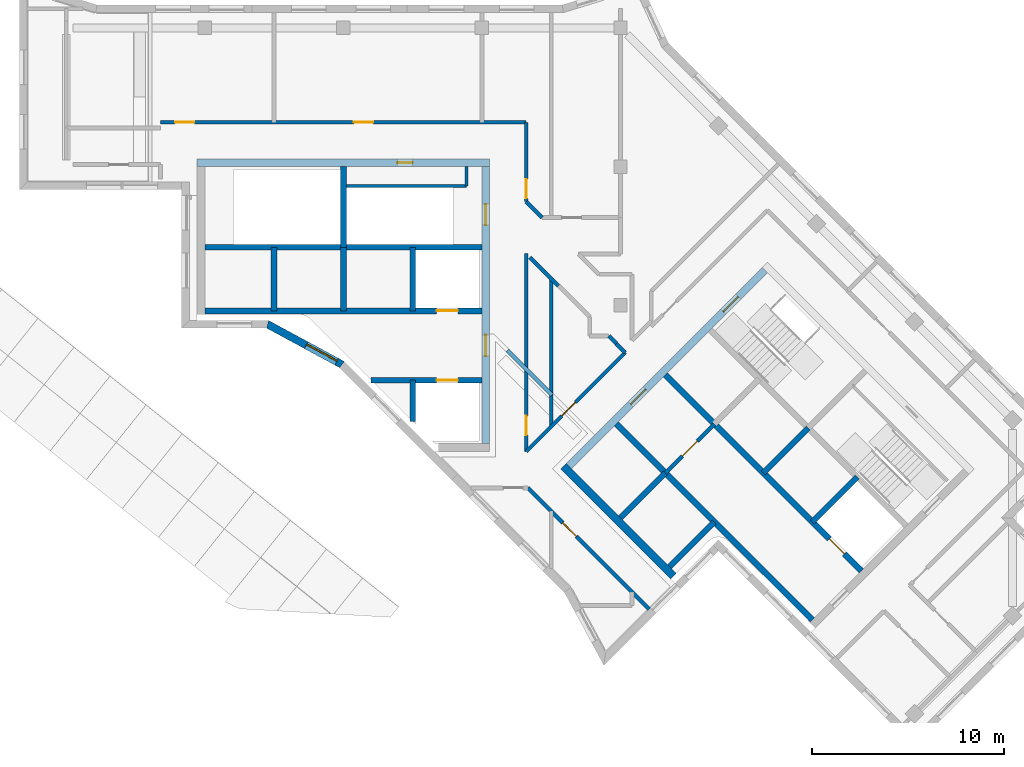
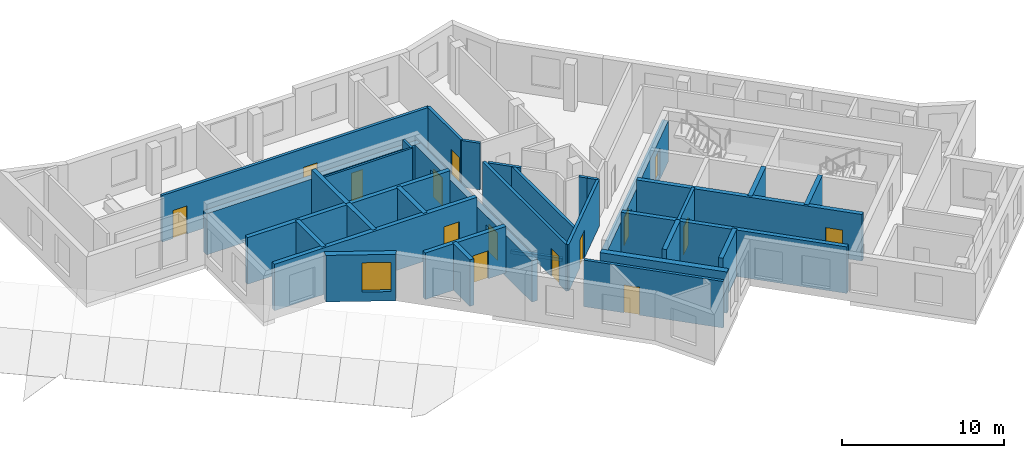
# One storey, part 3 of 8: 34 walls, 15 doors, 1 window, 16 openings.
"""IFC4 building model written with IfcOpenShell, lengths in metres."""

from ifc_helpers import new_model, si_unit, direction, frame, frame_2d, origin, place, context, subcontext, project, spatial, polyline, rectangle, outline, extrude, material, layer, layer_set, type_object, element, fill, save


model = new_model("IFC4")

# Units and contexts
model_context = context("Model", 3, precision=1e-05, world=origin(), true_north=direction((0.0, 1.0)))
body_context = subcontext(model_context, "Body", "Model", "MODEL_VIEW")
ifc_project = project(units=[si_unit("LENGTHUNIT", "METRE"), si_unit("AREAUNIT", "SQUARE_METRE"), si_unit("VOLUMEUNIT", "CUBIC_METRE"), si_unit("PLANEANGLEUNIT", "RADIAN"), si_unit("MASSUNIT", "GRAM", prefix="KILO")], contexts=[model_context])

# Site, building, storey
site_placement = place(None, origin())
site = spatial("IfcSite", under=ifc_project, at=site_placement, CompositionType="ELEMENT")
building_placement = place(site_placement, origin())
building = spatial("IfcBuilding", under=site, at=building_placement, Name="Windrow Commons", CompositionType="ELEMENT")
storey_placement = place(building_placement, frame((0.0, 0.0, 298.2)))
storey = spatial("IfcBuildingStorey", under=building, at=storey_placement, Name="L81", CompositionType="ELEMENT", Elevation=298.2)

# Wall, opening, door
ifc_material_1 = material(Name="Blockwork partition", Category="masonry")
ifc_layer_1 = layer(ifc_material_1, 0.2)
ifc_layer_set_1 = layer_set([ifc_layer_1], Name="Fire lobby partition 200")
wall_type_1 = type_object("IfcWallType", Name="Fire lobby partition 200", PredefinedType="PARTITIONING", material=ifc_layer_set_1)
wall_1_placement = place(storey_placement, frame((81.5335, 48.8776, 0.0), z_axis=(0.0, 0.0, 1.0), x_axis=(0.707092892, 0.7071206701, 0.0)))
wall_1 = element("IfcWall", 1, at=wall_1_placement, inside=storey, type_object=wall_type_1, Name="W-core-lobby-B-L81", PredefinedType="PARTITIONING", context=body_context, shape_type="SweptSolid", body=[
    extrude(outline(polyline([(0.0, 0.0), (3.6, 0.0), (3.6, 3.5), (0.0, 3.5), (0.0, 0.0)])), frame((0.0, 0.1, 0.0), z_axis=(0.0, -1.0, 0.0), x_axis=(1.0, 0.0, 0.0)), (0.0, 0.0, 1.0), 0.2),
])
opening_1_placement = place(wall_1_placement, frame((1.25, 0.0, 0.0)))
opening_1 = element("IfcOpeningElement", 2, at=opening_1_placement, cuts=wall_1, Name="Opening D6", PredefinedType="OPENING", context=body_context, shape_type="SweptSolid", body=[
    extrude(rectangle(XDim=1.1, YDim=2.1, at=frame_2d((0.55, 1.05))), frame((0.0, 0.11, 0.0), z_axis=(0.0, -1.0, 0.0), x_axis=(1.0, 0.0, 0.0)), (0.0, 0.0, 1.0), 0.22),
])
ifc_material_2 = material(Name="Steel fire door leaf", Category="steel")
door_type_1 = type_object("IfcDoorType", Name="Core lobby door 1100", OperationType="SINGLE_SWING_LEFT", PredefinedType="DOOR", material=ifc_material_2)
door_1_placement = place(opening_1_placement, origin())
door_1 = element("IfcDoor", 3, at=door_1_placement, inside=storey, type_object=door_type_1, Name="Lift lobby door", OperationType="DOUBLE_DOOR_SINGLE_SWING", OverallHeight=2.1, OverallWidth=1.1, PredefinedType="DOOR", context=body_context, shape_type="SweptSolid", body=[
    extrude(rectangle(XDim=1.1, YDim=2.1, at=frame_2d((0.55, 1.05))), frame((0.0, 0.025, 0.0), z_axis=(0.0, -1.0, 0.0), x_axis=(1.0, 0.0, 0.0)), (0.0, 0.0, 1.0), 0.05),
])
fill(opening_1, door_1)

# Wall, openings, doors
ifc_material_3 = material(Name="Blockwork partition", Category="masonry")
ifc_layer_2 = layer(ifc_material_3, 0.2)
ifc_layer_set_2 = layer_set([ifc_layer_2], Name="IW-CORRIDOR-200")
wall_type_2 = type_object("IfcWallType", Name="IW-CORRIDOR-200", PredefinedType="PARTITIONING", material=ifc_layer_set_2)
wall_2_placement = place(storey_placement, frame((55.302, 67.1, 0.0), z_axis=(0.0, 0.0, 1.0), x_axis=(1.0, 0.0, 0.0)))
wall_2 = element("IfcWall", 4, at=wall_2_placement, inside=storey, type_object=wall_type_2, Name="W-L81-W001", PredefinedType="PARTITIONING", context=body_context, shape_type="SweptSolid", body=[
    extrude(rectangle(XDim=18.998, YDim=0.2, at=frame_2d((9.499, 0.0))), origin(), (0.0, 0.0, 1.0), 3.5),
])
opening_2_placement = place(wall_2_placement, frame((0.7579, 0.0, 0.0)))
opening_2 = element("IfcOpeningElement", 5, at=opening_2_placement, cuts=wall_2, Name="Opening D410F", PredefinedType="OPENING", context=body_context, shape_type="SweptSolid", body=[
    extrude(rectangle(XDim=1.0, YDim=2.1, at=frame_2d((0.5, 1.05))), frame((0.0, 0.11, 0.0), z_axis=(0.0, -1.0, 0.0), x_axis=(1.0, 0.0, 0.0)), (0.0, 0.0, 1.0), 0.22),
])
opening_3_placement = place(wall_2_placement, frame((10.0397, 0.0, 0.0)))
opening_3 = element("IfcOpeningElement", 6, at=opening_3_placement, cuts=wall_2, Name="Opening D410F", PredefinedType="OPENING", context=body_context, shape_type="SweptSolid", body=[
    extrude(rectangle(XDim=1.0, YDim=2.1, at=frame_2d((0.5, 1.05))), frame((0.0, 0.11, 0.0), z_axis=(0.0, -1.0, 0.0), x_axis=(1.0, 0.0, 0.0)), (0.0, 0.0, 1.0), 0.22),
])
ifc_material_4 = material(Name="Timber door leaf", Category="wood")
door_type_2 = type_object("IfcDoorType", Name="DT-SERVICE-1000", OperationType="SINGLE_SWING_LEFT", PredefinedType="DOOR", material=ifc_material_4)
door_2_placement = place(opening_2_placement, origin())
door_2 = element("IfcDoor", 7, at=door_2_placement, inside=storey, type_object=door_type_2, Name="D-L81-D005", OperationType="SINGLE_SWING_RIGHT", OverallHeight=2.1, OverallWidth=1.0, PredefinedType="DOOR", context=body_context, shape_type="SweptSolid", body=[
    extrude(rectangle(XDim=1.0, YDim=2.1, at=frame_2d((0.5, 1.05))), frame((0.0, 0.025, 0.0), z_axis=(0.0, -1.0, 0.0), x_axis=(1.0, 0.0, 0.0)), (0.0, 0.0, 1.0), 0.05),
])
fill(opening_2, door_2)
door_3_placement = place(opening_3_placement, origin())
door_3 = element("IfcDoor", 8, at=door_3_placement, inside=storey, type_object=door_type_2, Name="D-L81-D006", OperationType="SINGLE_SWING_LEFT", OverallHeight=2.1, OverallWidth=1.0, PredefinedType="DOOR", context=body_context, shape_type="SweptSolid", body=[
    extrude(rectangle(XDim=1.0, YDim=2.1, at=frame_2d((0.5, 1.05))), frame((0.0, 0.025, 0.0), z_axis=(0.0, -1.0, 0.0), x_axis=(1.0, 0.0, 0.0)), (0.0, 0.0, 1.0), 0.05),
])
fill(opening_3, door_3)

# Wall, opening, door
wall_3_placement = place(storey_placement, frame((74.3, 49.99, 0.0), z_axis=(0.0, 0.0, 1.0), x_axis=(0.0, 1.0, 0.0)))
wall_3 = element("IfcWall", 9, at=wall_3_placement, inside=storey, type_object=wall_type_2, Name="W-L81-W004", PredefinedType="PARTITIONING", context=body_context, shape_type="SweptSolid", body=[
    extrude(rectangle(XDim=10.29, YDim=0.2, at=frame_2d((5.145, 0.0))), origin(), (0.0, 0.0, 1.0), 3.5),
])
opening_4_placement = place(wall_3_placement, frame((0.8556, 0.0, 0.0)))
opening_4 = element("IfcOpeningElement", 10, at=opening_4_placement, cuts=wall_3, Name="Opening D410F", PredefinedType="OPENING", context=body_context, shape_type="SweptSolid", body=[
    extrude(rectangle(XDim=1.0, YDim=2.1, at=frame_2d((0.5, 1.05))), frame((0.0, 0.11, 0.0), z_axis=(0.0, -1.0, 0.0), x_axis=(1.0, 0.0, 0.0)), (0.0, 0.0, 1.0), 0.22),
])
door_4_placement = place(opening_4_placement, origin())
door_4 = element("IfcDoor", 11, at=door_4_placement, inside=storey, type_object=door_type_2, Name="D-L81-D002", OperationType="SINGLE_SWING_LEFT", OverallHeight=2.1, OverallWidth=1.0, PredefinedType="DOOR", context=body_context, shape_type="SweptSolid", body=[
    extrude(rectangle(XDim=1.0, YDim=2.1, at=frame_2d((0.5, 1.05))), frame((0.0, 0.025, 0.0), z_axis=(0.0, -1.0, 0.0), x_axis=(1.0, 0.0, 0.0)), (0.0, 0.0, 1.0), 0.05),
])
fill(opening_4, door_4)

wall_4_placement = place(storey_placement, frame((74.3885, 48.0965, 0.0), z_axis=(0.0, 0.0, 1.0), x_axis=(0.7071067812, -0.7071067812, 0.0)))
wall_4 = element("IfcWall", 12, at=wall_4_placement, inside=storey, type_object=wall_type_2, Name="W-L81-W006", PredefinedType="PARTITIONING", context=body_context, shape_type="SweptSolid", body=[
    extrude(rectangle(XDim=8.8999, YDim=0.2, at=frame_2d((4.45, 0.0))), origin(), (0.0, 0.0, 1.0), 3.5),
])
opening_5_placement = place(wall_4_placement, frame((2.5643, 0.0, 0.0)))
opening_5 = element("IfcOpeningElement", 13, at=opening_5_placement, cuts=wall_4, Name="Opening D410F", PredefinedType="OPENING", context=body_context, shape_type="SweptSolid", body=[
    extrude(rectangle(XDim=1.0, YDim=2.1, at=frame_2d((0.5, 1.05))), frame((0.0, 0.11, 0.0), z_axis=(0.0, -1.0, 0.0), x_axis=(1.0, 0.0, 0.0)), (0.0, 0.0, 1.0), 0.22),
])
door_5_placement = place(opening_5_placement, origin())
door_5 = element("IfcDoor", 14, at=door_5_placement, inside=storey, type_object=door_type_2, Name="D-L81-D001", OperationType="SINGLE_SWING_RIGHT", OverallHeight=2.1, OverallWidth=1.0, PredefinedType="DOOR", context=body_context, shape_type="SweptSolid", body=[
    extrude(rectangle(XDim=1.0, YDim=2.1, at=frame_2d((0.5, 1.05))), frame((0.0, 0.025, 0.0), z_axis=(0.0, -1.0, 0.0), x_axis=(1.0, 0.0, 0.0)), (0.0, 0.0, 1.0), 0.05),
])
fill(opening_5, door_5)

wall_5_placement = place(storey_placement, frame((74.3012, 49.9908, 0.0), z_axis=(0.0, 0.0, 1.0), x_axis=(0.7071067812, 0.7071067812, 0.0)))
wall_5 = element("IfcWall", 15, at=wall_5_placement, inside=storey, type_object=wall_type_2, Name="W-L81-W010", PredefinedType="PARTITIONING", context=body_context, shape_type="SweptSolid", body=[
    extrude(rectangle(XDim=7.2747, YDim=0.2, at=frame_2d((3.6374, 0.0))), origin(), (0.0, 0.0, 1.0), 3.5),
])
opening_6_placement = place(wall_5_placement, frame((2.6152, 0.0, 0.0)))
opening_6 = element("IfcOpeningElement", 16, at=opening_6_placement, cuts=wall_5, Name="Opening D410F", PredefinedType="OPENING", context=body_context, shape_type="SweptSolid", body=[
    extrude(rectangle(XDim=1.0, YDim=2.1, at=frame_2d((0.5, 1.05))), frame((0.0, 0.11, 0.0), z_axis=(0.0, -1.0, 0.0), x_axis=(1.0, 0.0, 0.0)), (0.0, 0.0, 1.0), 0.22),
])
door_6_placement = place(opening_6_placement, origin())
door_6 = element("IfcDoor", 17, at=door_6_placement, inside=storey, type_object=door_type_2, Name="D-L81-D003", OperationType="SINGLE_SWING_LEFT", OverallHeight=2.1, OverallWidth=1.0, PredefinedType="DOOR", context=body_context, shape_type="SweptSolid", body=[
    extrude(rectangle(XDim=1.0, YDim=2.1, at=frame_2d((0.5, 1.05))), frame((0.0, 0.025, 0.0), z_axis=(0.0, -1.0, 0.0), x_axis=(1.0, 0.0, 0.0)), (0.0, 0.0, 1.0), 0.05),
])
fill(opening_6, door_6)

wall_6_placement = place(storey_placement, frame((74.3, 62.97, 0.0), z_axis=(0.0, 0.0, 1.0), x_axis=(0.0, 1.0, 0.0)))
wall_6 = element("IfcWall", 18, at=wall_6_placement, inside=storey, type_object=wall_type_2, Name="W-L81-W020", PredefinedType="PARTITIONING", context=body_context, shape_type="SweptSolid", body=[
    extrude(rectangle(XDim=4.13, YDim=0.2, at=frame_2d((2.065, 0.0))), origin(), (0.0, 0.0, 1.0), 3.5),
])
opening_7_placement = place(wall_6_placement, frame((0.1763, 0.0, 0.0)))
opening_7 = element("IfcOpeningElement", 19, at=opening_7_placement, cuts=wall_6, Name="Opening D410F", PredefinedType="OPENING", context=body_context, shape_type="SweptSolid", body=[
    extrude(rectangle(XDim=1.0, YDim=2.1, at=frame_2d((0.5, 1.05))), frame((0.0, 0.11, 0.0), z_axis=(0.0, -1.0, 0.0), x_axis=(1.0, 0.0, 0.0)), (0.0, 0.0, 1.0), 0.22),
])
door_7_placement = place(opening_7_placement, origin())
door_7 = element("IfcDoor", 20, at=door_7_placement, inside=storey, type_object=door_type_2, Name="D-L81-D007", OperationType="SINGLE_SWING_RIGHT", OverallHeight=2.1, OverallWidth=1.0, PredefinedType="DOOR", context=body_context, shape_type="SweptSolid", body=[
    extrude(rectangle(XDim=1.0, YDim=2.1, at=frame_2d((0.5, 1.05))), frame((0.0, 0.025, 0.0), z_axis=(0.0, -1.0, 0.0), x_axis=(1.0, 0.0, 0.0)), (0.0, 0.0, 1.0), 0.05),
])
fill(opening_7, door_7)

# Walls
wall_7_placement = place(storey_placement, frame((74.4973, 60.0793, 0.0), z_axis=(0.0, 0.0, 1.0), x_axis=(0.7071067812, -0.7071067812, 0.0)))
element("IfcWall", 21, at=wall_7_placement, inside=storey, type_object=wall_type_2, Name="W-L81-W037", PredefinedType="PARTITIONING", context=body_context, shape_type="SweptSolid", body=[
    extrude(rectangle(XDim=2.0959, YDim=0.2, at=frame_2d((1.0479, 0.0))), origin(), (0.0, 0.0, 1.0), 3.5),
])
wall_8_placement = place(storey_placement, frame((74.2968, 62.9668, 0.0), z_axis=(0.0, 0.0, 1.0), x_axis=(0.7071067812, -0.7071067812, 0.0)))
element("IfcWall", 22, at=wall_8_placement, inside=storey, type_object=wall_type_2, Name="W-L81-W046", PredefinedType="PARTITIONING", context=body_context, shape_type="SweptSolid", body=[
    extrude(rectangle(XDim=1.1597, YDim=0.2, at=frame_2d((0.5798, 0.0))), origin(), (0.0, 0.0, 1.0), 3.5),
])
wall_9_placement = place(storey_placement, frame((78.9733, 55.6033, 0.0), z_axis=(0.0, 0.0, 1.0), x_axis=(0.7071067812, -0.7071067812, 0.0)))
element("IfcWall", 23, at=wall_9_placement, inside=storey, type_object=wall_type_2, Name="W-L81-W050", PredefinedType="PARTITIONING", context=body_context, shape_type="SweptSolid", body=[
    extrude(rectangle(XDim=0.6647, YDim=0.2, at=frame_2d((0.3323, 0.0))), origin(), (0.0, 0.0, 1.0), 3.5),
])
wall_10_placement = place(storey_placement, frame((78.5871, 56.0031, 0.0), z_axis=(0.0, 0.0, 1.0), x_axis=(0.705305244, -0.7089037401, 0.0)))
element("IfcWall", 24, at=wall_10_placement, inside=storey, type_object=wall_type_2, Name="W-L81-W055", PredefinedType="PARTITIONING", context=body_context, shape_type="SweptSolid", body=[
    extrude(rectangle(XDim=0.5558, YDim=0.2, at=frame_2d((0.2779, 0.0))), origin(), (0.0, 0.0, 1.0), 3.5),
])
ifc_material_5 = material(Name="Blockwork partition", Category="masonry")
ifc_layer_3 = layer(ifc_material_5, 0.2)
ifc_layer_set_3 = layer_set([ifc_layer_3], Name="IW-PARTY-200")
wall_type_3 = type_object("IfcWallType", Name="IW-PARTY-200", PredefinedType="PARTITIONING", material=ifc_layer_set_3)
wall_11_placement = place(storey_placement, frame((75.6, 51.288, 0.0), z_axis=(0.0, 0.0, 1.0), x_axis=(0.0, 1.0, 0.0)))
element("IfcWall", 25, at=wall_11_placement, inside=storey, type_object=wall_type_3, Name="W-L81-W009", PredefinedType="PARTITIONING", context=body_context, shape_type="SweptSolid", body=[
    extrude(rectangle(XDim=7.694, YDim=0.2, at=frame_2d((3.847, 0.0))), origin(), (0.0, 0.0, 1.0), 3.5),
])

# Wall, opening, door
ifc_material_6 = material(Name="Concrete C40/50", Category="concrete")
ifc_layer_4 = layer(ifc_material_6, 0.4)
ifc_layer_set_4 = layer_set([ifc_layer_4], Name="RC CORE WALL 400 C40/50")
wall_type_4 = type_object("IfcWallType", Name="RC CORE WALL 400 C40/50", PredefinedType="SHEAR", material=ifc_layer_set_4)
wall_12_placement = place(storey_placement, frame((57.2, 65.0, -0.3), z_axis=(0.0, 0.0, 1.0), x_axis=(1.0, 0.0, 0.0)))
wall_12 = element("IfcWall", 26, at=wall_12_placement, inside=storey, type_object=wall_type_4, Name="Core A wall outer-N", PredefinedType="SHEAR", context=body_context, shape_type="SweptSolid", body=[
    extrude(outline(polyline([(0.0, 0.0), (15.2, 0.0), (15.2, 3.1), (0.0, 3.1), (0.0, 0.0)])), frame((0.0, 0.2, 0.0), z_axis=(0.0, -1.0, 0.0), x_axis=(1.0, 0.0, 0.0)), (0.0, 0.0, 1.0), 0.4),
])
opening_8_placement = place(wall_12_placement, frame((10.4, 0.0, 0.3)))
opening_8 = element("IfcOpeningElement", 27, at=opening_8_placement, cuts=wall_12, Name="Opening D9", PredefinedType="OPENING", context=body_context, shape_type="SweptSolid", body=[
    extrude(rectangle(XDim=0.8, YDim=2.1, at=frame_2d((0.4, 1.05))), frame((0.0, 0.21, 0.0), z_axis=(0.0, -1.0, 0.0), x_axis=(1.0, 0.0, 0.0)), (0.0, 0.0, 1.0), 0.42),
])
ifc_material_7 = material(Name="Steel fire door leaf", Category="steel")
door_type_3 = type_object("IfcDoorType", Name="Riser access door 800", OperationType="SINGLE_SWING_LEFT", PredefinedType="DOOR", material=ifc_material_7)
door_8_placement = place(opening_8_placement, origin())
door_8 = element("IfcDoor", 28, at=door_8_placement, inside=storey, type_object=door_type_3, Name="Riser access door", OperationType="SINGLE_SWING_RIGHT", OverallHeight=2.1, OverallWidth=0.8, PredefinedType="DOOR", context=body_context, shape_type="SweptSolid", body=[
    extrude(rectangle(XDim=0.8, YDim=2.1, at=frame_2d((0.4, 1.05))), frame((0.0, 0.025, 0.0), z_axis=(0.0, -1.0, 0.0), x_axis=(1.0, 0.0, 0.0)), (0.0, 0.0, 1.0), 0.05),
])
fill(opening_8, door_8)

# Wall, openings, doors
wall_13_placement = place(storey_placement, frame((72.2, 50.4, -0.3), z_axis=(0.0, 0.0, 1.0), x_axis=(0.0, 1.0, 0.0)))
wall_13 = element("IfcWall", 29, at=wall_13_placement, inside=storey, type_object=wall_type_4, Name="Core A wall outer-E", PredefinedType="SHEAR", context=body_context, shape_type="SweptSolid", body=[
    extrude(outline(polyline([(0.0, 0.0), (14.4, 0.0), (14.4, 3.1), (0.0, 3.1), (0.0, 0.0)])), frame((0.0, 0.2, 0.0), z_axis=(0.0, -1.0, 0.0), x_axis=(1.0, 0.0, 0.0)), (0.0, 0.0, 1.0), 0.4),
])
opening_9_placement = place(wall_13_placement, frame((4.55, 0.0, 0.3)))
opening_9 = element("IfcOpeningElement", 30, at=opening_9_placement, cuts=wall_13, Name="Opening D6", PredefinedType="OPENING", context=body_context, shape_type="SweptSolid", body=[
    extrude(rectangle(XDim=1.1, YDim=2.1, at=frame_2d((0.55, 1.05))), frame((0.0, 0.21, 0.0), z_axis=(0.0, -1.0, 0.0), x_axis=(1.0, 0.0, 0.0)), (0.0, 0.0, 1.0), 0.42),
])
opening_10_placement = place(wall_13_placement, frame((11.35, 0.0, 0.3)))
opening_10 = element("IfcOpeningElement", 31, at=opening_10_placement, cuts=wall_13, Name="Opening D7", PredefinedType="OPENING", context=body_context, shape_type="SweptSolid", body=[
    extrude(rectangle(XDim=1.1, YDim=2.1, at=frame_2d((0.55, 1.05))), frame((0.0, 0.21, 0.0), z_axis=(0.0, -1.0, 0.0), x_axis=(1.0, 0.0, 0.0)), (0.0, 0.0, 1.0), 0.42),
])
door_9_placement = place(opening_9_placement, origin())
door_9 = element("IfcDoor", 32, at=door_9_placement, inside=storey, type_object=door_type_1, Name="Lift lobby door", OperationType="DOUBLE_DOOR_SINGLE_SWING", OverallHeight=2.1, OverallWidth=1.1, PredefinedType="DOOR", context=body_context, shape_type="SweptSolid", body=[
    extrude(rectangle(XDim=1.1, YDim=2.1, at=frame_2d((0.55, 1.05))), frame((0.0, 0.025, 0.0), z_axis=(0.0, -1.0, 0.0), x_axis=(1.0, 0.0, 0.0)), (0.0, 0.0, 1.0), 0.05),
])
fill(opening_9, door_9)
ifc_material_8 = material(Name="Steel fire door leaf", Category="steel")
door_type_4 = type_object("IfcDoorType", Name="Stair door 1100", OperationType="SINGLE_SWING_LEFT", PredefinedType="DOOR", material=ifc_material_8)
door_10_placement = place(opening_10_placement, origin())
door_10 = element("IfcDoor", 33, at=door_10_placement, inside=storey, type_object=door_type_4, Name="Stair door", OperationType="SINGLE_SWING_RIGHT", OverallHeight=2.1, OverallWidth=1.1, PredefinedType="DOOR", context=body_context, shape_type="SweptSolid", body=[
    extrude(rectangle(XDim=1.1, YDim=2.1, at=frame_2d((0.55, 1.05))), frame((0.0, 0.025, 0.0), z_axis=(0.0, -1.0, 0.0), x_axis=(1.0, 0.0, 0.0)), (0.0, 0.0, 1.0), 0.05),
])
fill(opening_10, door_10)

# Wall
wall_14_placement = place(storey_placement, frame((76.2302, 49.2312, -0.3), z_axis=(0.0, 0.0, 1.0), x_axis=(0.7071006083, -0.707112954, 0.0)))
element("IfcWall", 34, at=wall_14_placement, inside=storey, type_object=wall_type_4, Name="Core B wall outer-S", PredefinedType="SHEAR", context=body_context, shape_type="SweptSolid", body=[
    extrude(outline(polyline([(0.0, 0.0), (8.1, 0.0), (8.1, 3.1), (0.0, 3.1), (0.0, 0.0)])), frame((0.0, 0.2, 0.0), z_axis=(0.0, -1.0, 0.0), x_axis=(1.0, 0.0, 0.0)), (0.0, 0.0, 1.0), 0.4),
])

# Wall, openings, doors
wall_15_placement = place(storey_placement, frame((76.513, 49.2312, -0.3), z_axis=(0.0, 0.0, 1.0), x_axis=(0.7071067812, 0.7071067812, 0.0)))
wall_15 = element("IfcWall", 35, at=wall_15_placement, inside=storey, type_object=wall_type_4, Name="Core B wall outer-W", PredefinedType="SHEAR", context=body_context, shape_type="SweptSolid", body=[
    extrude(outline(polyline([(0.0, 0.0), (14.3999, 0.0), (14.3999, 3.1), (0.0, 3.1), (0.0, 0.0)])), frame((0.0, 0.2, 0.0), z_axis=(0.0, -1.0, 0.0), x_axis=(1.0, 0.0, 0.0)), (0.0, 0.0, 1.0), 0.4),
])
opening_11_placement = place(wall_15_placement, frame((4.55, 0.0, 0.3)))
opening_11 = element("IfcOpeningElement", 36, at=opening_11_placement, cuts=wall_15, Name="Opening D6", PredefinedType="OPENING", context=body_context, shape_type="SweptSolid", body=[
    extrude(rectangle(XDim=1.1, YDim=2.1, at=frame_2d((0.55, 1.05))), frame((0.0, 0.21, 0.0), z_axis=(0.0, -1.0, 0.0), x_axis=(1.0, 0.0, 0.0)), (0.0, 0.0, 1.0), 0.42),
])
opening_12_placement = place(wall_15_placement, frame((11.35, 0.0, 0.3)))
opening_12 = element("IfcOpeningElement", 37, at=opening_12_placement, cuts=wall_15, Name="Opening D7", PredefinedType="OPENING", context=body_context, shape_type="SweptSolid", body=[
    extrude(rectangle(XDim=1.1, YDim=2.1, at=frame_2d((0.55, 1.05))), frame((0.0, 0.21, 0.0), z_axis=(0.0, -1.0, 0.0), x_axis=(1.0, 0.0, 0.0)), (0.0, 0.0, 1.0), 0.42),
])
door_11_placement = place(opening_11_placement, origin())
door_11 = element("IfcDoor", 38, at=door_11_placement, inside=storey, type_object=door_type_1, Name="Lift lobby door", OperationType="DOUBLE_DOOR_SINGLE_SWING", OverallHeight=2.1, OverallWidth=1.1, PredefinedType="DOOR", context=body_context, shape_type="SweptSolid", body=[
    extrude(rectangle(XDim=1.1, YDim=2.1, at=frame_2d((0.55, 1.05))), frame((0.0, 0.025, 0.0), z_axis=(0.0, -1.0, 0.0), x_axis=(1.0, 0.0, 0.0)), (0.0, 0.0, 1.0), 0.05),
])
fill(opening_11, door_11)
door_12_placement = place(opening_12_placement, origin())
door_12 = element("IfcDoor", 39, at=door_12_placement, inside=storey, type_object=door_type_4, Name="Stair door", OperationType="SINGLE_SWING_LEFT", OverallHeight=2.1, OverallWidth=1.1, PredefinedType="DOOR", context=body_context, shape_type="SweptSolid", body=[
    extrude(rectangle(XDim=1.1, YDim=2.1, at=frame_2d((0.55, 1.05))), frame((0.0, 0.025, 0.0), z_axis=(0.0, -1.0, 0.0), x_axis=(1.0, 0.0, 0.0)), (0.0, 0.0, 1.0), 0.05),
])
fill(opening_12, door_12)

# Walls
ifc_material_9 = material(Name="Concrete C40/50", Category="concrete")
ifc_layer_5 = layer(ifc_material_9, 0.3)
ifc_layer_set_5 = layer_set([ifc_layer_5], Name="RC SHAFT WALL 300 C40/50")
wall_type_5 = type_object("IfcWallType", Name="RC SHAFT WALL 300 C40/50", PredefinedType="SOLIDWALL", material=ifc_layer_set_5)
for number, where, z_axis, x_axis, name in (
    (40, (61.2, 57.3, 0.0), (0.0, 0.0, 1.0), (0.0, 1.0, 0.0), "Core A wall shaft-N1"),
    (41, (64.8, 57.3, 0.0), (0.0, 0.0, 1.0), (0.0, 1.0, 0.0), "Core A wall shaft-N2"),
):
    element("IfcWall", number, at=place(storey_placement, frame(where, z_axis=z_axis, x_axis=x_axis)), inside=storey, type_object=wall_type_5, Name=name, PredefinedType="SOLIDWALL", context=body_context, shape_type="SweptSolid", body=[
        extrude(outline(polyline([(0.0, 0.0), (3.3, 0.0), (3.3, 3.5), (0.0, 3.5), (0.0, 0.0)])), frame((0.0, 0.15, 0.0), z_axis=(0.0, -1.0, 0.0), x_axis=(1.0, 0.0, 0.0)), (0.0, 0.0, 1.0), 0.3),
    ])
wall_16_placement = place(storey_placement, frame((68.4, 51.5458, 0.0), z_axis=(0.0, 0.0, 1.0), x_axis=(0.0, 1.0, 0.0)))
element("IfcWall", 42, at=wall_16_placement, inside=storey, type_object=wall_type_5, Name="Core A wall shaft-S3", PredefinedType="SOLIDWALL", context=body_context, shape_type="SweptSolid", body=[
    extrude(outline(polyline([(0.0, 0.0), (2.1542, 0.0), (2.1542, 3.5), (0.0, 3.5), (0.0, 0.0)])), frame((0.0, 0.15, 0.0), z_axis=(0.0, -1.0, 0.0), x_axis=(1.0, 0.0, 0.0)), (0.0, 0.0, 1.0), 0.3),
])
wall_17_placement = place(storey_placement, frame((68.4, 57.3, 0.0), z_axis=(0.0, 0.0, 1.0), x_axis=(0.0, 1.0, 0.0)))
element("IfcWall", 43, at=wall_17_placement, inside=storey, type_object=wall_type_5, Name="Core A wall shaft-N3", PredefinedType="SOLIDWALL", context=body_context, shape_type="SweptSolid", body=[
    extrude(outline(polyline([(0.0, 0.0), (3.3, 0.0), (3.3, 3.5), (0.0, 3.5), (0.0, 0.0)])), frame((0.0, 0.15, 0.0), z_axis=(0.0, -1.0, 0.0), x_axis=(1.0, 0.0, 0.0)), (0.0, 0.0, 1.0), 0.3),
])

# Wall, opening, door
wall_18_placement = place(storey_placement, frame((66.2458, 53.7, 0.0), z_axis=(0.0, 0.0, 1.0), x_axis=(1.0, 0.0, 0.0)))
wall_18 = element("IfcWall", 44, at=wall_18_placement, inside=storey, type_object=wall_type_5, Name="Core A wall lobby-S", PredefinedType="SOLIDWALL", context=body_context, shape_type="SweptSolid", body=[
    extrude(outline(polyline([(0.0, 0.0), (5.7542, 0.0), (5.7542, 3.5), (0.0, 3.5), (0.0, 0.0)])), frame((0.0, 0.15, 0.0), z_axis=(0.0, -1.0, 0.0), x_axis=(1.0, 0.0, 0.0)), (0.0, 0.0, 1.0), 0.3),
])
opening_13_placement = place(wall_18_placement, frame((3.4042, 0.0, 0.0)))
opening_13 = element("IfcOpeningElement", 45, at=opening_13_placement, cuts=wall_18, Name="Opening LD", PredefinedType="OPENING", context=body_context, shape_type="SweptSolid", body=[
    extrude(rectangle(XDim=1.1, YDim=2.1, at=frame_2d((0.55, 1.05))), frame((0.0, 0.16, 0.0), z_axis=(0.0, -1.0, 0.0), x_axis=(1.0, 0.0, 0.0)), (0.0, 0.0, 1.0), 0.32),
])
ifc_material_10 = material(Name="Stainless steel door leaf", Category="steel")
door_type_5 = type_object("IfcDoorType", Name="Lift landing door 1100", OperationType="SLIDING_TO_LEFT", PredefinedType="DOOR", material=ifc_material_10)
door_13_placement = place(opening_13_placement, origin())
door_13 = element("IfcDoor", 46, at=door_13_placement, inside=storey, type_object=door_type_5, Name="Lift landing door", OperationType="SLIDING_TO_RIGHT", OverallHeight=2.1, OverallWidth=1.1, PredefinedType="DOOR", context=body_context, shape_type="SweptSolid", body=[
    extrude(rectangle(XDim=1.1, YDim=2.1, at=frame_2d((0.55, 1.05))), frame((0.0, 0.025, 0.0), z_axis=(0.0, -1.0, 0.0), x_axis=(1.0, 0.0, 0.0)), (0.0, 0.0, 1.0), 0.05),
])
fill(opening_13, door_13)

wall_19_placement = place(storey_placement, frame((57.6, 57.3, 0.0), z_axis=(0.0, 0.0, 1.0), x_axis=(1.0, 0.0, 0.0)))
wall_19 = element("IfcWall", 47, at=wall_19_placement, inside=storey, type_object=wall_type_5, Name="Core A wall lobby-N", PredefinedType="SOLIDWALL", context=body_context, shape_type="SweptSolid", body=[
    extrude(outline(polyline([(0.0, 0.0), (14.4, 0.0), (14.4, 3.5), (0.0, 3.5), (0.0, 0.0)])), frame((0.0, 0.15, 0.0), z_axis=(0.0, -1.0, 0.0), x_axis=(1.0, 0.0, 0.0)), (0.0, 0.0, 1.0), 0.3),
])
opening_14_placement = place(wall_19_placement, frame((12.05, 0.0, 0.0)))
opening_14 = element("IfcOpeningElement", 48, at=opening_14_placement, cuts=wall_19, Name="Opening LD", PredefinedType="OPENING", context=body_context, shape_type="SweptSolid", body=[
    extrude(rectangle(XDim=1.1, YDim=2.1, at=frame_2d((0.55, 1.05))), frame((0.0, 0.16, 0.0), z_axis=(0.0, -1.0, 0.0), x_axis=(1.0, 0.0, 0.0)), (0.0, 0.0, 1.0), 0.32),
])
door_14_placement = place(opening_14_placement, origin())
door_14 = element("IfcDoor", 49, at=door_14_placement, inside=storey, type_object=door_type_5, Name="Lift landing door", OperationType="SLIDING_TO_RIGHT", OverallHeight=2.1, OverallWidth=1.1, PredefinedType="DOOR", context=body_context, shape_type="SweptSolid", body=[
    extrude(rectangle(XDim=1.1, YDim=2.1, at=frame_2d((0.55, 1.05))), frame((0.0, 0.025, 0.0), z_axis=(0.0, -1.0, 0.0), x_axis=(1.0, 0.0, 0.0)), (0.0, 0.0, 1.0), 0.05),
])
fill(opening_14, door_14)

# Walls
for number, where, z_axis, x_axis, name in (
    (50, (57.6, 60.6, 0.0), (0.0, 0.0, 1.0), (1.0, 0.0, 0.0), "Core A wall stair-S"),
    (51, (64.8, 60.6, 0.0), (0.0, 0.0, 1.0), (1.0, 0.0, 0.0), "Core A wall stair-S2"),
):
    element("IfcWall", number, at=place(storey_placement, frame(where, z_axis=z_axis, x_axis=x_axis)), inside=storey, type_object=wall_type_5, Name=name, PredefinedType="SOLIDWALL", context=body_context, shape_type="SweptSolid", body=[
        extrude(outline(polyline([(0.0, 0.0), (7.2, 0.0), (7.2, 3.5), (0.0, 3.5), (0.0, 0.0)])), frame((0.0, 0.15, 0.0), z_axis=(0.0, -1.0, 0.0), x_axis=(1.0, 0.0, 0.0)), (0.0, 0.0, 1.0), 0.3),
    ])
wall_20_placement = place(storey_placement, frame((64.8, 60.6, 0.0), z_axis=(0.0, 0.0, 1.0), x_axis=(0.0, 1.0, 0.0)))
element("IfcWall", 52, at=wall_20_placement, inside=storey, type_object=wall_type_5, Name="Core A wall stair-mid", PredefinedType="SOLIDWALL", context=body_context, shape_type="SweptSolid", body=[
    extrude(outline(polyline([(0.0, 0.0), (4.2, 0.0), (4.2, 3.5), (0.0, 3.5), (0.0, 0.0)])), frame((0.0, 0.15, 0.0), z_axis=(0.0, -1.0, 0.0), x_axis=(1.0, 0.0, 0.0)), (0.0, 0.0, 1.0), 0.3),
])
wall_21_placement = place(storey_placement, frame((79.2, 46.5442, 0.0), z_axis=(0.0, 0.0, 1.0), x_axis=(0.7071219326, 0.7070916295, 0.0)))
element("IfcWall", 53, at=wall_21_placement, inside=storey, type_object=wall_type_5, Name="Core B wall shaft-S1", PredefinedType="SOLIDWALL", context=body_context, shape_type="SweptSolid", body=[
    extrude(outline(polyline([(0.0, 0.0), (3.3, 0.0), (3.3, 3.5), (0.0, 3.5), (0.0, 0.0)])), frame((0.0, 0.15, 0.0), z_axis=(0.0, -1.0, 0.0), x_axis=(1.0, 0.0, 0.0)), (0.0, 0.0, 1.0), 0.3),
])
wall_22_placement = place(storey_placement, frame((81.7456, 43.9986, 0.0), z_axis=(0.0, 0.0, 1.0), x_axis=(0.7071067812, 0.7071067812, 0.0)))
element("IfcWall", 54, at=wall_22_placement, inside=storey, type_object=wall_type_5, Name="Core B wall shaft-S2", PredefinedType="SOLIDWALL", context=body_context, shape_type="SweptSolid", body=[
    extrude(outline(polyline([(0.0, 0.0), (3.2999, 0.0), (3.2999, 3.5), (0.0, 3.5), (0.0, 0.0)])), frame((0.0, 0.15, 0.0), z_axis=(0.0, -1.0, 0.0), x_axis=(1.0, 0.0, 0.0)), (0.0, 0.0, 1.0), 0.3),
])
for number, where, z_axis, x_axis, name in (
    (55, (86.6246, 48.8776, 0.0), (0.0, 0.0, 1.0), (0.7071067812, 0.7071067812, 0.0), "Core B wall shaft-N2"),
    (56, (89.1702, 46.332, 0.0), (0.0, 0.0, 1.0), (0.7071067812, 0.7071067812, 0.0), "Core B wall shaft-N3"),
):
    element("IfcWall", number, at=place(storey_placement, frame(where, z_axis=z_axis, x_axis=x_axis)), inside=storey, type_object=wall_type_5, Name=name, PredefinedType="SOLIDWALL", context=body_context, shape_type="SweptSolid", body=[
        extrude(outline(polyline([(0.0, 0.0), (3.3001, 0.0), (3.3001, 3.5), (0.0, 3.5), (0.0, 0.0)])), frame((0.0, 0.15, 0.0), z_axis=(0.0, -1.0, 0.0), x_axis=(1.0, 0.0, 0.0)), (0.0, 0.0, 1.0), 0.3),
    ])
wall_23_placement = place(storey_placement, frame((78.9879, 51.4232, 0.0), z_axis=(0.0, 0.0, 1.0), x_axis=(0.7071067812, -0.7071067812, 0.0)))
element("IfcWall", 57, at=wall_23_placement, inside=storey, type_object=wall_type_5, Name="Core B wall lobby-S", PredefinedType="SOLIDWALL", context=body_context, shape_type="SweptSolid", body=[
    extrude(outline(polyline([(0.0, 0.0), (14.3999, 0.0), (14.3999, 3.5), (0.0, 3.5), (0.0, 0.0)])), frame((0.0, 0.15, 0.0), z_axis=(0.0, -1.0, 0.0), x_axis=(1.0, 0.0, 0.0)), (0.0, 0.0, 1.0), 0.3),
])

# Wall, opening, door
wall_24_placement = place(storey_placement, frame((81.5335, 53.9688, 0.0), z_axis=(0.0, 0.0, 1.0), x_axis=(0.707103309, -0.7071102534, 0.0)))
wall_24 = element("IfcWall", 58, at=wall_24_placement, inside=storey, type_object=wall_type_5, Name="Core B wall lobby-N", PredefinedType="SOLIDWALL", context=body_context, shape_type="SweptSolid", body=[
    extrude(outline(polyline([(0.0, 0.0), (14.4, 0.0), (14.4, 3.5), (0.0, 3.5), (0.0, 0.0)])), frame((0.0, 0.15, 0.0), z_axis=(0.0, -1.0, 0.0), x_axis=(1.0, 0.0, 0.0)), (0.0, 0.0, 1.0), 0.3),
])
opening_15_placement = place(wall_24_placement, frame((12.05, 0.0, 0.0)))
opening_15 = element("IfcOpeningElement", 59, at=opening_15_placement, cuts=wall_24, Name="Opening LD", PredefinedType="OPENING", context=body_context, shape_type="SweptSolid", body=[
    extrude(rectangle(XDim=1.1, YDim=2.1, at=frame_2d((0.55, 1.05))), frame((0.0, 0.16, 0.0), z_axis=(0.0, -1.0, 0.0), x_axis=(1.0, 0.0, 0.0)), (0.0, 0.0, 1.0), 0.32),
])
door_15_placement = place(opening_15_placement, origin())
door_15 = element("IfcDoor", 60, at=door_15_placement, inside=storey, type_object=door_type_5, Name="Lift landing door", OperationType="SLIDING_TO_RIGHT", OverallHeight=2.1, OverallWidth=1.1, PredefinedType="DOOR", context=body_context, shape_type="SweptSolid", body=[
    extrude(rectangle(XDim=1.1, YDim=2.1, at=frame_2d((0.55, 1.05))), frame((0.0, 0.025, 0.0), z_axis=(0.0, -1.0, 0.0), x_axis=(1.0, 0.0, 0.0)), (0.0, 0.0, 1.0), 0.05),
])
fill(opening_15, door_15)

# Walls
ifc_material_11 = material(Name="Blockwork partition", Category="masonry")
ifc_layer_6 = layer(ifc_material_11, 0.15)
ifc_layer_set_6 = layer_set([ifc_layer_6], Name="Riser partition 150")
wall_type_6 = type_object("IfcWallType", Name="Riser partition 150", PredefinedType="PARTITIONING", material=ifc_layer_set_6)
wall_25_placement = place(storey_placement, frame((64.95, 63.78, 0.0), z_axis=(0.0, 0.0, 1.0), x_axis=(1.0, 0.0, 0.0)))
element("IfcWall", 61, at=wall_25_placement, inside=storey, type_object=wall_type_6, Name="W-core-strip-A-L81", PredefinedType="PARTITIONING", context=body_context, shape_type="SweptSolid", body=[
    extrude(outline(polyline([(0.0, 0.0), (6.25, 0.0), (6.25, 3.5), (0.0, 3.5), (0.0, 0.0)])), frame((0.0, 0.075, 0.0), z_axis=(0.0, -1.0, 0.0), x_axis=(1.0, 0.0, 0.0)), (0.0, 0.0, 1.0), 0.15),
])
wall_26_placement = place(storey_placement, frame((71.2, 63.78, 0.0), z_axis=(0.0, 0.0, 1.0), x_axis=(0.0, 1.0, 0.0)))
element("IfcWall", 62, at=wall_26_placement, inside=storey, type_object=wall_type_6, Name="W-core-stripx-A-L81-1", PredefinedType="PARTITIONING", context=body_context, shape_type="SweptSolid", body=[
    extrude(outline(polyline([(0.0, 0.0), (1.02, 0.0), (1.02, 3.5), (0.0, 3.5), (0.0, 0.0)])), frame((0.0, 0.075, 0.0), z_axis=(0.0, -1.0, 0.0), x_axis=(1.0, 0.0, 0.0)), (0.0, 0.0, 1.0), 0.15),
])
ifc_material_12 = material(Name="Brick masonry, red clay brick", Category="masonry")
ifc_layer_7 = layer(ifc_material_12, 0.2)
ifc_layer_set_7 = layer_set([ifc_layer_7], Name="Terrace edge parapet 200")
wall_type_7 = type_object("IfcWallType", Name="Terrace edge parapet 200", PredefinedType="PARAPET", material=ifc_layer_set_7)
wall_27_placement = place(storey_placement, frame((75.6495, 52.9231, 0.0), z_axis=(0.0, 0.0, 1.0), x_axis=(-0.7071067812, 0.7071067812, 0.0)))
element("IfcWall", 63, at=wall_27_placement, inside=storey, type_object=wall_type_7, Name="Terrace parapet TR-L81-2.1.1", PredefinedType="PARAPET", context=body_context, shape_type="SweptSolid", body=[
    extrude(outline(polyline([(0.0, -0.1), (3.2944, -0.1), (3.2944, 0.1), (0.0, 0.1), (0.0, -0.1)])), origin(), (0.0, 0.0, 1.0), 0.25),
])

# Wall, opening, window
ifc_material_13 = material(Name="Standing seam zinc cladding on insulated masonry backing", Category="masonry")
ifc_layer_8 = layer(ifc_material_13, 0.4)
ifc_layer_set_8 = layer_set([ifc_layer_8], Name="Zinc clad crown wall 400")
wall_type_8 = type_object("IfcWallType", Name="Zinc clad crown wall 400", PredefinedType="SOLIDWALL", material=ifc_layer_set_8)
wall_28_placement = place(storey_placement, frame((60.867, 56.6, 0.0), z_axis=(0.0, 0.0, 1.0), x_axis=(0.8795817564, -0.4757477628, 0.0)))
wall_28 = element("IfcWall", 64, at=wall_28_placement, inside=storey, type_object=wall_type_8, Name="Brick facade wall L81 18", PredefinedType="SOLIDWALL", context=body_context, shape_type="SweptSolid", body=[
    extrude(outline(polyline([(0.0506, -0.2), (4.358, -0.2), (4.4163, 0.2), (-0.0506, 0.2), (0.0506, -0.2)])), origin(), (0.0, 0.0, 1.0), 3.5),
])
opening_16_placement = place(wall_28_placement, frame((2.2756, 0.0, 0.7)))
opening_16 = element("IfcOpeningElement", 65, at=opening_16_placement, cuts=wall_28, Name="Opening W6", PredefinedType="OPENING", context=body_context, shape_type="SweptSolid", body=[
    extrude(rectangle(XDim=1.8, YDim=2.2, at=frame_2d((0.9, 1.1))), frame((0.0, 0.21, 0.0), z_axis=(0.0, -1.0, 0.0), x_axis=(1.0, 0.0, 0.0)), (0.0, 0.0, 1.0), 0.42),
])
ifc_material_14 = material(Name="Clear float glass in anodised aluminium frame", Category="aluminium")
window_type = type_object("IfcWindowType", Name="Window W6 crown 1800x2200", PartitioningType="SINGLE_PANEL", PredefinedType="WINDOW", material=ifc_material_14)
window_placement = place(opening_16_placement, origin())
window = element("IfcWindow", 66, at=window_placement, inside=storey, type_object=window_type, Name="Window L81 18.1", OverallHeight=2.2, OverallWidth=1.8, PartitioningType="SINGLE_PANEL", PredefinedType="WINDOW", context=body_context, shape_type="SweptSolid", body=[
    extrude(rectangle(XDim=1.8, YDim=2.2, at=frame_2d((0.9, 1.1))), frame((0.0, 0.08, 0.0), z_axis=(0.0, -1.0, 0.0), x_axis=(1.0, 0.0, 0.0)), (0.0, 0.0, 1.0), 0.06),
])
fill(opening_16, window)

save(model, "model.ifc")
